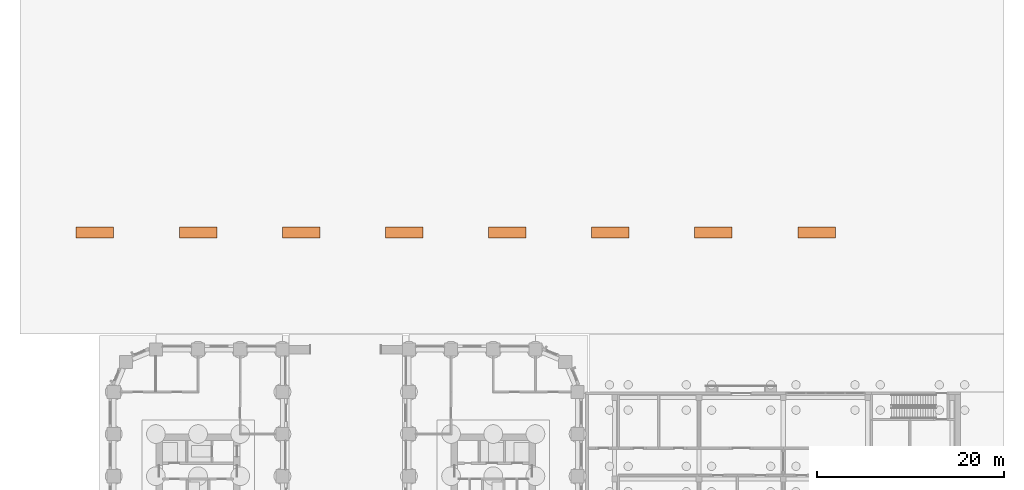
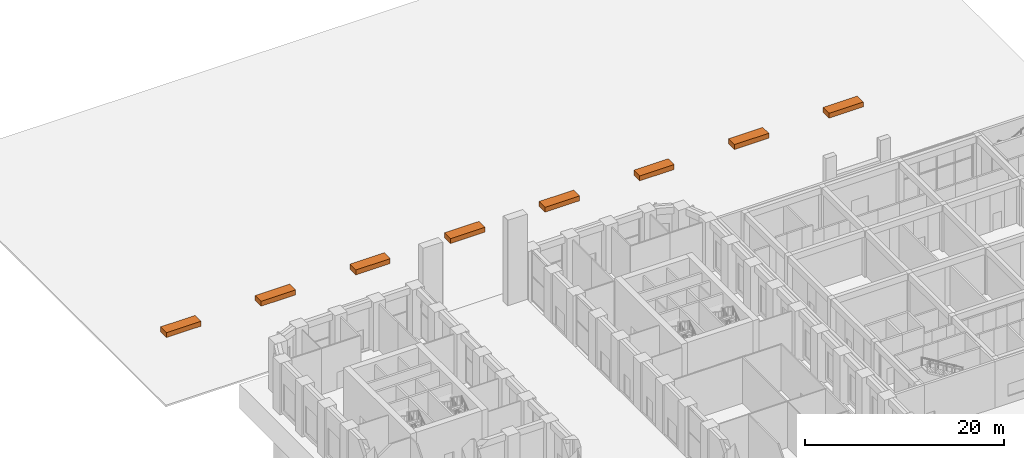
# One storey, part 31 of 31: 8 proxies.
"""IFC4 building model written with IfcOpenShell, lengths in metres."""

from ifc_helpers import new_model, si_unit, direction, frame, origin, origin_2d, place, context, subcontext, project, spatial, rectangle, extrude, material, type_object, element, save


model = new_model("IFC4")

# Units and contexts
model_context = context("Model", 3, precision=1e-05, world=origin(), true_north=direction((0.0, 1.0)))
body_context = subcontext(model_context, "Body", "Model", "MODEL_VIEW")
ifc_project = project(units=[si_unit("LENGTHUNIT", "METRE"), si_unit("AREAUNIT", "SQUARE_METRE"), si_unit("VOLUMEUNIT", "CUBIC_METRE"), si_unit("PLANEANGLEUNIT", "RADIAN"), si_unit("MASSUNIT", "GRAM", prefix="KILO")], contexts=[model_context])

# Site, building, storey
site_placement = place(None, origin())
site = spatial("IfcSite", under=ifc_project, at=site_placement, CompositionType="ELEMENT")
building_placement = place(site_placement, origin())
building = spatial("IfcBuilding", under=site, at=building_placement, Name="Girih Gate Residences", CompositionType="ELEMENT")
storey_placement = place(building_placement, origin())
storey = spatial("IfcBuildingStorey", under=building, at=storey_placement, Name="L00", CompositionType="ELEMENT", Elevation=0.0)

# Proxies
ifc_material = material(Name="Precast concrete C40/50", Category="concrete")
building_element_proxy_type = type_object("IfcBuildingElementProxyType", Name="HC Planter", PredefinedType="USERDEFINED", material=ifc_material)
for number, where, z_axis, x_axis, name in (
    (1, (-2.0, 62.0, 0.0), (0.0, 0.0, 1.0), (1.0, 0.0, 0.0), "Plaza planter 1"),
    (2, (9.0, 62.0, 0.0), (0.0, 0.0, 1.0), (1.0, 0.0, 0.0), "Plaza planter 2"),
    (3, (20.0, 62.0, 0.0), (0.0, 0.0, 1.0), (1.0, 0.0, 0.0), "Plaza planter 3"),
    (4, (31.0, 62.0, 0.0), (0.0, 0.0, 1.0), (1.0, 0.0, 0.0), "Plaza planter 4"),
    (5, (42.0, 62.0, 0.0), (0.0, 0.0, 1.0), (1.0, 0.0, 0.0), "Plaza planter 5"),
    (6, (53.0, 62.0, 0.0), (0.0, 0.0, 1.0), (1.0, 0.0, 0.0), "Plaza planter 6"),
    (7, (64.0, 62.0, 0.0), (0.0, 0.0, 1.0), (1.0, 0.0, 0.0), "Plaza planter 7"),
    (8, (75.0, 62.0, 0.0), (0.0, 0.0, 1.0), (1.0, 0.0, 0.0), "Plaza planter 8"),
):
    element("IfcBuildingElementProxy", number, at=place(storey_placement, frame(where, z_axis=z_axis, x_axis=x_axis)), inside=storey, type_object=building_element_proxy_type, Name=name, ObjectType="PLANTER", PredefinedType="USERDEFINED", context=body_context, shape_type="SweptSolid", body=[
        extrude(rectangle(XDim=4.0, YDim=1.199951171875, at=origin_2d()), origin(), (0.0, 0.0, 1.0), 0.60009765625),
    ])

save(model, "model.ifc")
